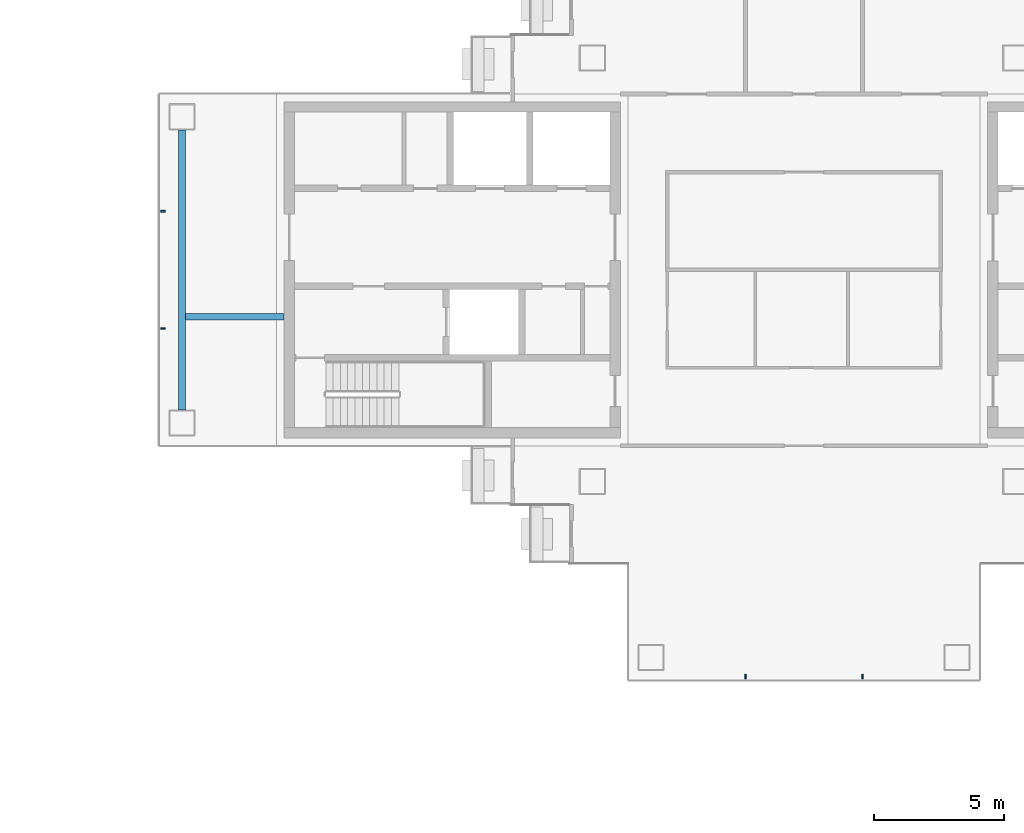
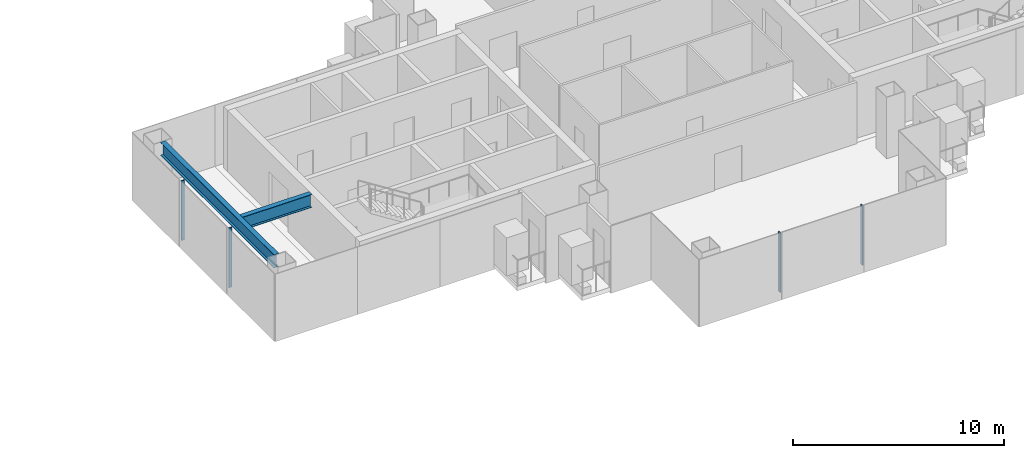
# One storey, part 5 of 16: 4 members, 2 beams, 2 elements without a shape of their own.
"""IFC4 building model written with IfcOpenShell, lengths in metres."""

from ifc_helpers import new_model, si_unit, direction, frame, origin, origin_2d, place, context, subcontext, project, spatial, rectangle, i_section, extrude, material, layer, layer_set, material_profile, profile_set, type_object, element, aggregate, save


model = new_model("IFC4")

# Units and contexts
model_context = context("Model", 3, precision=1e-05, world=origin(), true_north=direction((0.0, 1.0)))
body_context = subcontext(model_context, "Body", "Model", "MODEL_VIEW")
ifc_project = project(units=[si_unit("LENGTHUNIT", "METRE"), si_unit("AREAUNIT", "SQUARE_METRE"), si_unit("VOLUMEUNIT", "CUBIC_METRE"), si_unit("PLANEANGLEUNIT", "RADIAN"), si_unit("MASSUNIT", "GRAM", prefix="KILO")], contexts=[model_context])

# Site, building, storey
site_placement = place(None, origin())
site = spatial("IfcSite", under=ifc_project, at=site_placement, CompositionType="ELEMENT")
building_placement = place(site_placement, origin())
building = spatial("IfcBuilding", under=site, at=building_placement, Name="Shamsa Quay Exchange Towers", CompositionType="ELEMENT")
storey_placement = place(building_placement, frame((0.0, 0.0, 190.5)))
storey = spatial("IfcBuildingStorey", under=building, at=storey_placement, Name="L45", CompositionType="ELEMENT", Elevation=190.5)

# Curtain wall, members
ifc_material_1 = material(Name="Aluminium EN AW-6063 T6, black anodised", Category="aluminium")
ifc_layer = layer(ifc_material_1, 0.280029296875)
ifc_layer_set = layer_set([ifc_layer], Name="CW-1 UNITISED VISION GLASS")
curtain_wall_type = type_object("IfcCurtainWallType", Name="CW-1 UNITISED VISION GLASS", PredefinedType="NOTDEFINED", material=ifc_layer_set)
curtain_wall_1_placement = place(storey_placement, origin())
curtain_wall_1 = element("IfcCurtainWall", 1, at=curtain_wall_1_placement, inside=storey, type_object=curtain_wall_type, Name="CW1 T2-END-V+ L45", PredefinedType="NOTDEFINED")
ifc_material_profile_1 = material_profile(ifc_material_1, rectangle(XDim=0.179931640625, YDim=0.06005859375, at=origin_2d()), Name="MU60x180")
ifc_profile_set_1 = profile_set([ifc_material_profile_1], Name="Aluminium EN AW-6063 T6, black anodised")
member_type = type_object("IfcMemberType", Name="CW1 MULLION 60x180", PredefinedType="MULLION", material=ifc_profile_set_1)
member_1_placement = place(storey_placement, frame((9.14990234375, 2.25, 0.0)))
member_1 = element("IfcMember", 2, at=member_1_placement, type_object=member_type, Name="CW1 mullion", PredefinedType="MULLION", context=body_context, shape_type="SweptSolid", body=[
    extrude(rectangle(XDim=0.179931640625, YDim=0.06005859375, at=origin_2d()), origin(), (0.0, 0.0, 1.0), 3.449951171875),
])
member_2_placement = place(storey_placement, frame((9.14990234375, -2.25, 0.0)))
member_2 = element("IfcMember", 3, at=member_2_placement, type_object=member_type, Name="CW1 mullion", PredefinedType="MULLION", context=body_context, shape_type="SweptSolid", body=[
    extrude(rectangle(XDim=0.179931640625, YDim=0.06005859375, at=origin_2d()), origin(), (0.0, 0.0, 1.0), 3.449951171875),
])
aggregate(curtain_wall_1, [member_1, member_2])

curtain_wall_2_placement = place(storey_placement, origin())
curtain_wall_2 = element("IfcCurtainWall", 4, at=curtain_wall_2_placement, inside=storey, type_object=curtain_wall_type, Name="CW1 T2-END-U- L45", PredefinedType="NOTDEFINED")
member_3_placement = place(storey_placement, frame((31.5, -15.60009765625, 0.0), z_axis=(0.0, 0.0, 1.0), x_axis=(0.0, 1.0, 0.0)))
member_3 = element("IfcMember", 5, at=member_3_placement, type_object=member_type, Name="CW1 mullion", PredefinedType="MULLION", context=body_context, shape_type="SweptSolid", body=[
    extrude(rectangle(XDim=0.179931640625, YDim=0.06005859375, at=origin_2d()), origin(), (0.0, 0.0, 1.0), 3.449951171875),
])
member_4_placement = place(storey_placement, frame((36.0, -15.60009765625, 0.0), z_axis=(0.0, 0.0, 1.0), x_axis=(0.0, 1.0, 0.0)))
member_4 = element("IfcMember", 6, at=member_4_placement, type_object=member_type, Name="CW1 mullion", PredefinedType="MULLION", context=body_context, shape_type="SweptSolid", body=[
    extrude(rectangle(XDim=0.179931640625, YDim=0.06005859375, at=origin_2d()), origin(), (0.0, 0.0, 1.0), 3.449951171875),
])
aggregate(curtain_wall_2, [member_3, member_4])

# Beams
ifc_material_2 = material(Name="Steel S355", Category="steel")
ifc_material_profile_2 = material_profile(ifc_material_2, i_section(OverallWidth=0.26611328125, OverallDepth=0.7578125, WebThickness=0.013916015625, FlangeThickness=0.019287109375, at=origin_2d()), Name="W30x108")
ifc_profile_set_2 = profile_set([ifc_material_profile_2], Name="Steel S355")
beam_type = type_object("IfcBeamType", Name="End-zone beam W30x108", PredefinedType="BEAM", material=ifc_profile_set_2)
beam_1_placement = place(storey_placement, frame((9.875, -5.375, 3.171142578125), z_axis=(0.0, 1.0, 0.0), x_axis=(-1.0, 0.0, 0.0)))
element("IfcBeam", 7, at=beam_1_placement, inside=storey, type_object=beam_type, Name="End beam T2 V+ end zone L45", PredefinedType="BEAM", context=body_context, shape_type="SweptSolid", body=[
    extrude(i_section(OverallWidth=0.26611328125, OverallDepth=0.7578125, WebThickness=0.013916015625, FlangeThickness=0.019287109375, at=origin_2d()), origin(), (0.0, 0.0, 1.0), 10.75),
])
beam_2_placement = place(storey_placement, frame((13.800048828125, -1.800048828125, 3.171142578125), z_axis=(-1.0, 0.0, 0.0), x_axis=(0.0, -1.0, 0.0)))
element("IfcBeam", 8, at=beam_2_placement, inside=storey, type_object=beam_type, Name="Spine beam T2 V+ end zone L45", PredefinedType="BEAM", context=body_context, shape_type="SweptSolid", body=[
    extrude(i_section(OverallWidth=0.26611328125, OverallDepth=0.7578125, WebThickness=0.013916015625, FlangeThickness=0.019287109375, at=origin_2d()), origin(), (0.0, 0.0, 1.0), 3.7919921875),
])

save(model, "model.ifc")
